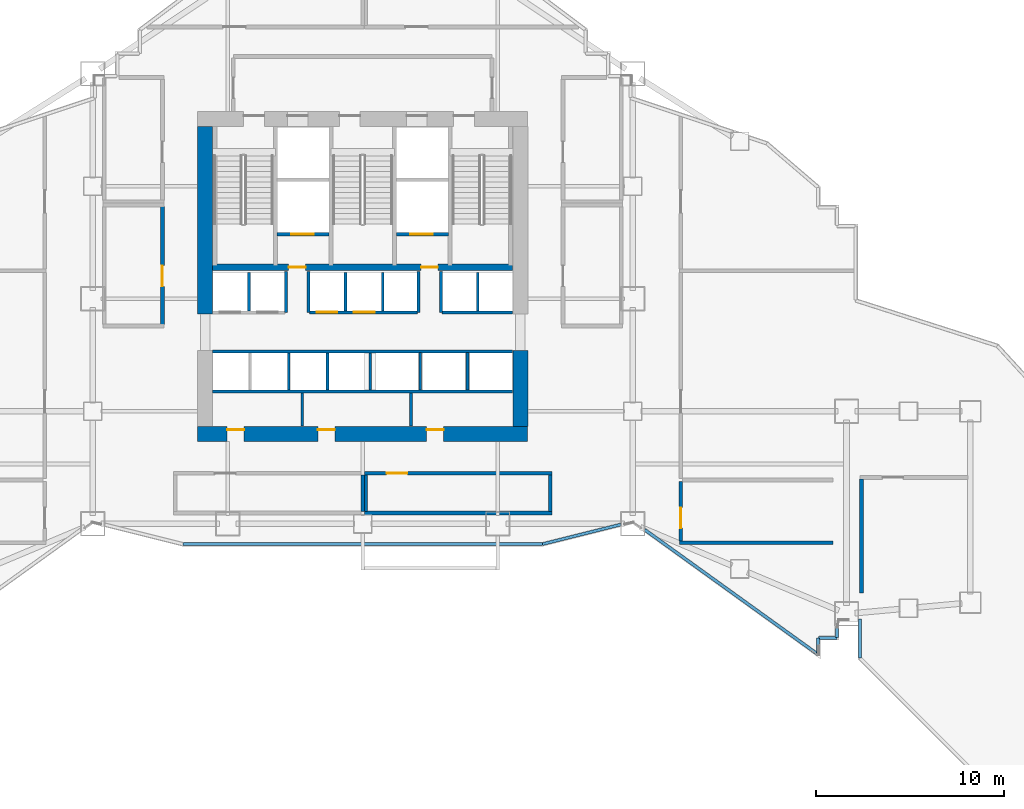
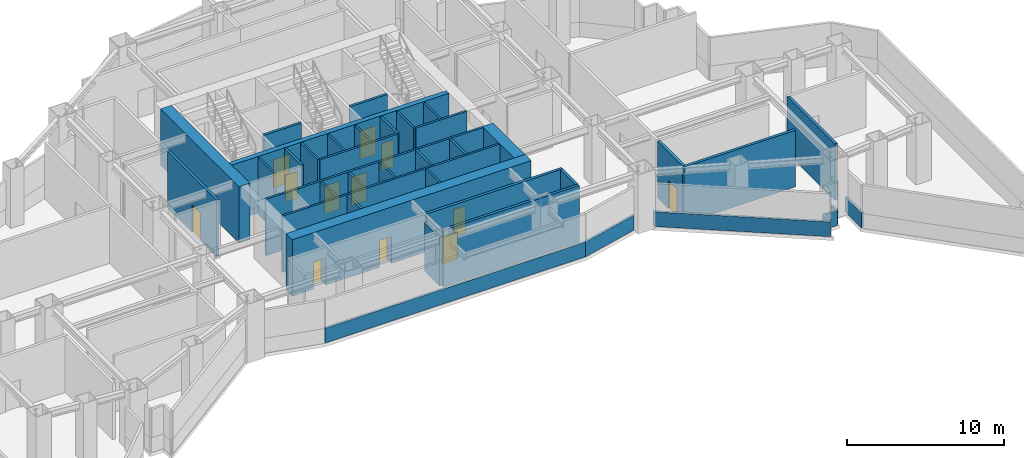
# One storey, part 3 of 12: 41 walls, 12 doors, 12 openings.
"""IFC4 building model written with IfcOpenShell, lengths in metres."""

import ifcopenshell
import ifcopenshell.guid

model = None  # the IFC model being written
_history = None  # IfcOwnerHistory: only IFC2X3 demands one
_inside = {}  # id of a spatial element -> (the spatial element, [elements in it])
_under = {}  # id of a project, library or spatial element -> (it, [spatial elements below it])
_declared = {}  # id of a project -> (the project, [libraries it declares])
_typed = {}  # id of a type object -> (the type object, [elements of that type])
_made_of = {}  # id of a material, layer set ... -> (it, [elements and type objects made of it])


def new_model(schema):
    """Start an empty IFC model of exactly this schema.

    Asked for "IFC4X3", IfcOpenShell would pick the latest addendum, in which some entities
    have other attributes; the version numbers below select the first issue.
    IFC2X3 requires an IfcOwnerHistory on every rooted entity: one is made here for all.
    """
    global model, _history
    if schema == "IFC4X3":
        model = ifcopenshell.file(schema_version=(4, 3, 0, 0))
    else:
        model = ifcopenshell.file(schema=schema)
    _inside.clear()
    _under.clear()
    _declared.clear()
    _typed.clear()
    _made_of.clear()
    _history = None
    if model.schema == "IFC2X3":
        org = make("IfcOrganization", Name="unknown")
        user = make(
            "IfcPersonAndOrganization",
            ThePerson=make("IfcPerson", FamilyName="unknown"),
            TheOrganization=org,
        )
        app = make(
            "IfcApplication",
            ApplicationDeveloper=org,
            Version="unknown",
            ApplicationFullName="unknown",
            ApplicationIdentifier="unknown",
        )
        _history = make(
            "IfcOwnerHistory",
            OwningUser=user,
            OwningApplication=app,
            ChangeAction="ADDED",
            CreationDate=0,
        )
    return model


def make(cls, **values):
    """One entity of the class cls with the attributes given. An attribute that is None is left unset."""
    return model.create_entity(
        cls, **{name: value for name, value in values.items() if value is not None}
    )


def rooted(cls, **values):
    """An entity with a GlobalId (a new one), such as an element, a storey or a relation."""
    return make(cls, GlobalId=ifcopenshell.guid.new(), OwnerHistory=_history, **values)


def si_unit(unit_type, name, prefix=None):
    """IfcSIUnit, for example si_unit("LENGTHUNIT", "METRE", prefix="MILLI")."""
    return make("IfcSIUnit", UnitType=unit_type, Prefix=prefix, Name=name)


def assignment(units):
    """IfcUnitAssignment: the units of a project."""
    return None if units is None else make("IfcUnitAssignment", Units=units)


def point(xyz):
    """IfcCartesianPoint."""
    return None if xyz is None else make("IfcCartesianPoint", Coordinates=xyz)


def direction(xyz):
    """IfcDirection."""
    return None if xyz is None else make("IfcDirection", DirectionRatios=xyz)


def frame(location, z_axis=None, x_axis=None):
    """IfcAxis2Placement3D, a coordinate frame: its origin and axes. An axis left out is left unset."""
    return make(
        "IfcAxis2Placement3D",
        Location=point(location),
        Axis=direction(z_axis),
        RefDirection=direction(x_axis),
    )


def frame_2d(location, x_axis=None):
    """IfcAxis2Placement2D, a coordinate frame in the plane: its origin and x axis."""
    return make(
        "IfcAxis2Placement2D", Location=point(location), RefDirection=direction(x_axis)
    )


def origin():
    """The frame at (0, 0, 0) with its axes left unset."""
    return frame((0.0, 0.0, 0.0))


def place(relative_to, where):
    """IfcLocalPlacement: puts the frame where relative to a parent placement (None: the world)."""
    return make(
        "IfcLocalPlacement", PlacementRelTo=relative_to, RelativePlacement=where
    )


def context(
    kind, dimensions, precision=None, world=None, true_north=None, identifier=None
):
    """IfcGeometricRepresentationContext, for example the 3D "Model" context."""
    return make(
        "IfcGeometricRepresentationContext",
        ContextIdentifier=identifier,
        ContextType=kind,
        CoordinateSpaceDimension=dimensions,
        Precision=precision,
        WorldCoordinateSystem=world,
        TrueNorth=true_north,
    )


def subcontext(parent, identifier, kind, view, scale=None):
    """IfcGeometricRepresentationSubContext, for example "Body" below "Model"."""
    return make(
        "IfcGeometricRepresentationSubContext",
        ContextIdentifier=identifier,
        ContextType=kind,
        ParentContext=parent,
        TargetScale=scale,
        TargetView=view,
    )


def project(units=None, contexts=None):
    """IfcProject with its units and contexts."""
    return rooted(
        "IfcProject",
        Name="project",
        RepresentationContexts=contexts,
        UnitsInContext=assignment(units),
    )


def spatial(cls, under=None, at=None, **own):
    """A site, building, storey or space (cls), placed at a placement, below another one or the project."""
    s = rooted(cls, ObjectPlacement=at, **own)
    if under is not None:
        _under.setdefault(under.id(), (under, []))[1].append(s)
    return s


def profile(cls, at=None, kind="AREA", **sizes):
    """A parametric profile (cls). Its sizes go by their IFC names, for example OverallWidth=200.0."""
    return make(cls, ProfileType=kind, Position=at, **sizes)


def rectangle(**sizes):
    """IfcRectangleProfileDef."""
    return profile("IfcRectangleProfileDef", **sizes)


def extrude(swept, where, along, depth):
    """IfcExtrudedAreaSolid: the profile swept, set in the frame where, extruded along a direction by depth."""
    return make(
        "IfcExtrudedAreaSolid",
        SweptArea=swept,
        Position=where,
        ExtrudedDirection=direction(along),
        Depth=depth,
    )


def shape(context_of_items, identifier, shape_type, items):
    """IfcShapeRepresentation: the items that make up one representation, for example the "Body"."""
    return make(
        "IfcShapeRepresentation",
        ContextOfItems=context_of_items,
        RepresentationIdentifier=identifier,
        RepresentationType=shape_type,
        Items=items,
    )


def material(Name=None, Category=None):
    """IfcMaterial."""
    return make("IfcMaterial", Name=Name, Category=Category)


def layer(
    of_material, thickness, ventilated=None, Name=None, Category=None, Priority=None
):
    """IfcMaterialLayer: one layer of a wall or slab, of a material (None: an air gap)."""
    return make(
        "IfcMaterialLayer",
        Material=of_material,
        LayerThickness=thickness,
        IsVentilated=ventilated,
        Name=Name,
        Category=Category,
        Priority=Priority,
    )


def layer_set(layers, Name=None):
    """IfcMaterialLayerSet."""
    return make("IfcMaterialLayerSet", MaterialLayers=layers, LayerSetName=Name)


def made_of(thing, what):
    """Note that an element or type object is made of a material, layer set ...; save() writes the relation."""
    if what is not None:
        _made_of.setdefault(what.id(), (what, []))[1].append(thing)
    return thing


def type_object(cls, material=None, **own):
    """A type object (cls), such as IfcWallType, which elements share."""
    return made_of(rooted(cls, **own), material)


def element(
    cls,
    number,
    at=None,
    inside=None,
    cuts=None,
    type_object=None,
    material=None,
    context=None,
    identifier="Body",
    shape_type=None,
    held_by="IfcProductDefinitionShape",
    body=None,
    shapes=None,
    **own,
):
    """One element of the class cls, such as IfcWall. Its Tag is "e" and its number.

    at: its placement. inside: the storey or other place that contains it. cuts: it is an
    opening in that element (IfcRelVoidsElement). A single representation is given by context,
    identifier, shape_type and body (its items); several are given by shapes. held_by: the class
    of the entity that holds the representations. save() writes the other relations.
    """
    e = rooted(cls, Tag="e%d" % number, ObjectPlacement=at, **own)
    if body is not None:
        shapes = [shape(context, identifier, shape_type, body)]
    if shapes is not None:
        e.Representation = make(held_by, Representations=shapes)
    if inside is not None:
        _inside.setdefault(inside.id(), (inside, []))[1].append(e)
    if cuts is not None:
        rooted(
            "IfcRelVoidsElement", RelatingBuildingElement=cuts, RelatedOpeningElement=e
        )
    if type_object is not None:
        _typed.setdefault(type_object.id(), (type_object, []))[1].append(e)
    return made_of(e, material)


def fill(opening, filler):
    """IfcRelFillsElement: the door or window that sits in an opening."""
    return rooted(
        "IfcRelFillsElement",
        RelatingOpeningElement=opening,
        RelatedBuildingElement=filler,
    )


def aggregate(whole, parts):
    """IfcRelAggregates: a whole, such as a stair, and the parts it consists of."""
    return rooted("IfcRelAggregates", RelatingObject=whole, RelatedObjects=parts)


def save(model, path):
    """Write the relations noted so far, then the file.

    IfcRelAggregates (storeys below a building ...), IfcRelContainedInSpatialStructure (elements
    in a storey), IfcRelDefinesByType, IfcRelAssociatesMaterial and IfcRelDeclares: one each for
    every whole, place, type object, material and project.
    """
    for whole, parts in _under.values():
        aggregate(whole, parts)
    for where, things in _inside.values():
        rooted(
            "IfcRelContainedInSpatialStructure",
            RelatedElements=things,
            RelatingStructure=where,
        )
    for kind, things in _typed.values():
        rooted("IfcRelDefinesByType", RelatedObjects=things, RelatingType=kind)
    for what, things in _made_of.values():
        rooted("IfcRelAssociatesMaterial", RelatedObjects=things, RelatingMaterial=what)
    for by, libraries in _declared.values():
        rooted("IfcRelDeclares", RelatingContext=by, RelatedDefinitions=libraries)
    model.write(path)


model = new_model("IFC4")

# Units and contexts
model_context = context("Model", 3, precision=1e-05, world=origin(), true_north=direction((0.0, 1.0)))
body_context = subcontext(model_context, "Body", "Model", "MODEL_VIEW")
ifc_project = project(units=[si_unit("LENGTHUNIT", "METRE"), si_unit("AREAUNIT", "SQUARE_METRE"), si_unit("VOLUMEUNIT", "CUBIC_METRE"), si_unit("PLANEANGLEUNIT", "RADIAN"), si_unit("MASSUNIT", "GRAM", prefix="KILO")], contexts=[model_context])

# Site, building, storey
site_placement = place(None, origin())
site = spatial("IfcSite", under=ifc_project, at=site_placement, CompositionType="ELEMENT")
building_placement = place(site_placement, origin())
building = spatial("IfcBuilding", under=site, at=building_placement, Name="Haolan Belvedere Tower", CompositionType="ELEMENT")
storey_placement = place(building_placement, frame((0.0, 0.0, 43.0)))
storey = spatial("IfcBuildingStorey", under=building, at=storey_placement, Name="L10", CompositionType="ELEMENT", Elevation=43.0)

# Wall, openings, doors
ifc_material_1 = material(Name="Concrete C70/85", Category="concrete")
ifc_layer_1 = layer(ifc_material_1, 0.800048828125, Name="Concrete C70/85")
ifc_layer_set_1 = layer_set([ifc_layer_1], Name="Concrete C70/85")
wall_type_1 = type_object("IfcWallType", Name="WL-CORE-800", PredefinedType="SHEAR", material=ifc_layer_set_1)
wall_1_placement = place(storey_placement, frame((29.60009765625, 26.39990234375, 0.0), z_axis=(0.0, 0.0, 1.0), x_axis=(1.0, 0.0, 0.0)))
wall_1 = element("IfcWall", 1, at=wall_1_placement, inside=storey, type_object=wall_type_1, Name="L10 central core south shear wall", PredefinedType="SHEAR", context=body_context, shape_type="SweptSolid", body=[
    extrude(rectangle(XDim=17.599853515625, YDim=0.800048828125, at=frame_2d((8.7998046875, 0.0))), origin(), (0.0, 0.0, 1.0), 4.39990234375),
])
opening_1_placement = place(wall_1_placement, frame((2.469970703125, 0.0, 0.0), z_axis=(0.0, 0.0, 1.0), x_axis=(-1.0, 0.0, 0.0)))
opening_1 = element("IfcOpeningElement", 2, at=opening_1_placement, cuts=wall_1, Name="Opening FD-05", PredefinedType="OPENING", context=body_context, shape_type="SweptSolid", body=[
    extrude(rectangle(XDim=0.89990234375, YDim=2.10009765625, at=frame_2d((0.449951171875, 1.050048828125))), frame((0.0, 0.409912109375, 0.0), z_axis=(0.0, -1.0, 0.0), x_axis=(1.0, 0.0, 0.0)), (0.0, 0.0, 1.0), 0.820068359375),
])
opening_2_placement = place(wall_1_placement, frame((7.309814453125, 0.0, 0.0), z_axis=(0.0, 0.0, 1.0), x_axis=(-1.0, 0.0, 0.0)))
opening_2 = element("IfcOpeningElement", 3, at=opening_2_placement, cuts=wall_1, Name="Opening FD-05", PredefinedType="OPENING", context=body_context, shape_type="SweptSolid", body=[
    extrude(rectangle(XDim=0.89990234375, YDim=2.10009765625, at=frame_2d((0.449951171875, 1.050048828125))), frame((0.0, 0.409912109375, 0.0), z_axis=(0.0, -1.0, 0.0), x_axis=(1.0, 0.0, 0.0)), (0.0, 0.0, 1.0), 0.820068359375),
])
opening_3_placement = place(wall_1_placement, frame((13.10986328125, 0.0, 0.0), z_axis=(0.0, 0.0, 1.0), x_axis=(-1.0, 0.0, 0.0)))
opening_3 = element("IfcOpeningElement", 4, at=opening_3_placement, cuts=wall_1, Name="Opening FD-05", PredefinedType="OPENING", context=body_context, shape_type="SweptSolid", body=[
    extrude(rectangle(XDim=0.89990234375, YDim=2.10009765625, at=frame_2d((0.449951171875, 1.050048828125))), frame((0.0, 0.409912109375, 0.0), z_axis=(0.0, -1.0, 0.0), x_axis=(1.0, 0.0, 0.0)), (0.0, 0.0, 1.0), 0.820068359375),
])
ifc_material_2 = material(Name="Galvanised fire-rated steel", Category="steel")
door_type_1 = type_object("IfcDoorType", Name="DR-FD60-900", OperationType="NOTDEFINED", PredefinedType="DOOR", material=ifc_material_2)
door_1_placement = place(opening_1_placement, origin())
door_1 = element("IfcDoor", 5, at=door_1_placement, inside=storey, type_object=door_type_1, Name="L10 door CD-L10-SCV-1", OperationType="SINGLE_SWING_LEFT", OverallHeight=2.10009765625, OverallWidth=0.89990234375, PredefinedType="DOOR", context=body_context, shape_type="SweptSolid", body=[
    extrude(rectangle(XDim=0.89990234375, YDim=2.10009765625, at=frame_2d((0.449951171875, 1.050048828125))), frame((0.0, -0.19482421875, 0.0), z_axis=(0.0, -1.0, 0.0), x_axis=(1.0, 0.0, 0.0)), (0.0, 0.0, 1.0), 0.050048828125),
])
fill(opening_1, door_1)
door_2_placement = place(opening_2_placement, origin())
door_2 = element("IfcDoor", 6, at=door_2_placement, inside=storey, type_object=door_type_1, Name="L10 door CD-L10-SCV-2", OperationType="SINGLE_SWING_RIGHT", OverallHeight=2.10009765625, OverallWidth=0.89990234375, PredefinedType="DOOR", context=body_context, shape_type="SweptSolid", body=[
    extrude(rectangle(XDim=0.89990234375, YDim=2.10009765625, at=frame_2d((0.449951171875, 1.050048828125))), frame((0.0, -0.19482421875, 0.0), z_axis=(0.0, -1.0, 0.0), x_axis=(1.0, 0.0, 0.0)), (0.0, 0.0, 1.0), 0.050048828125),
])
fill(opening_2, door_2)
door_3_placement = place(opening_3_placement, origin())
door_3 = element("IfcDoor", 7, at=door_3_placement, inside=storey, type_object=door_type_1, Name="L10 door CD-L10-SCV-3", OperationType="SINGLE_SWING_LEFT", OverallHeight=2.10009765625, OverallWidth=0.89990234375, PredefinedType="DOOR", context=body_context, shape_type="SweptSolid", body=[
    extrude(rectangle(XDim=0.89990234375, YDim=2.10009765625, at=frame_2d((0.449951171875, 1.050048828125))), frame((0.0, -0.19482421875, 0.0), z_axis=(0.0, -1.0, 0.0), x_axis=(1.0, 0.0, 0.0)), (0.0, 0.0, 1.0), 0.050048828125),
])
fill(opening_3, door_3)

# Walls
wall_2_placement = place(storey_placement, frame((30.0, 32.800048828125, 0.0), z_axis=(0.0, 0.0, 1.0), x_axis=(0.0, 1.0, 0.0)))
element("IfcWall", 8, at=wall_2_placement, inside=storey, type_object=wall_type_1, Name="L10 central core shear wall WN", PredefinedType="SHEAR", context=body_context, shape_type="SweptSolid", body=[
    extrude(rectangle(XDim=10.0, YDim=0.800048828125, at=frame_2d((5.0, 0.0))), origin(), (0.0, 0.0, 1.0), 4.39990234375),
])
wall_3_placement = place(storey_placement, frame((46.800048828125, 26.800048828125, 0.0), z_axis=(0.0, 0.0, 1.0), x_axis=(0.0, 1.0, 0.0)))
element("IfcWall", 9, at=wall_3_placement, inside=storey, type_object=wall_type_1, Name="L10 central core shear wall ES", PredefinedType="SHEAR", context=body_context, shape_type="SweptSolid", body=[
    extrude(rectangle(XDim=4.050048828125, YDim=0.800048828125, at=frame_2d((2.02490234375, 0.0))), origin(), (0.0, 0.0, 1.0), 4.39990234375),
])

# Wall, opening, door
ifc_material_3 = material(Name="Concrete C40/50", Category="concrete")
ifc_layer_2 = layer(ifc_material_3, 0.199951171875, Name="Concrete C40/50")
ifc_layer_set_2 = layer_set([ifc_layer_2], Name="Concrete C40/50")
wall_type_2 = type_object("IfcWallType", Name="WL-FIRE-200", PredefinedType="SOLIDWALL", material=ifc_layer_set_2)
wall_4_placement = place(storey_placement, frame((27.719970703125, 32.235107421875, 0.0), z_axis=(0.0, 0.0, 1.0), x_axis=(0.0, 1.0, 0.0)))
wall_4 = element("IfcWall", 10, at=wall_4_placement, inside=storey, type_object=wall_type_2, Name="L10 interior partition IW-L10-REF-WI1-E", PredefinedType="SOLIDWALL", context=body_context, shape_type="SweptSolid", body=[
    extrude(rectangle(XDim=6.27978515625, YDim=0.199951171875, at=frame_2d((3.139892578125, 0.0))), origin(), (0.0, 0.0, 1.0), 4.39990234375),
])
opening_4_placement = place(wall_4_placement, frame((3.135009765625, 0.0, 0.0), z_axis=(0.0, 0.0, 1.0), x_axis=(-1.0, 0.0, 0.0)))
opening_4 = element("IfcOpeningElement", 11, at=opening_4_placement, cuts=wall_4, Name="Opening FD-03", PredefinedType="OPENING", context=body_context, shape_type="SweptSolid", body=[
    extrude(rectangle(XDim=1.10009765625, YDim=2.14990234375, at=frame_2d((0.550048828125, 1.074951171875))), frame((0.0, 0.10986328125, 0.0), z_axis=(0.0, -1.0, 0.0), x_axis=(1.0, 0.0, 0.0)), (0.0, 0.0, 1.0), 0.219970703125),
])
door_type_2 = type_object("IfcDoorType", Name="DR-FD90-1100", OperationType="NOTDEFINED", PredefinedType="DOOR", material=ifc_material_2)
door_4_placement = place(opening_4_placement, origin())
door_4 = element("IfcDoor", 12, at=door_4_placement, inside=storey, type_object=door_type_2, Name="L10 door ID-L10-REF-WI1", OperationType="SINGLE_SWING_LEFT", OverallHeight=2.14990234375, OverallWidth=1.10009765625, PredefinedType="DOOR", context=body_context, shape_type="SweptSolid", body=[
    extrude(rectangle(XDim=1.10009765625, YDim=2.14990234375, at=frame_2d((0.550048828125, 1.074951171875))), frame((0.0, 0.02490234375, 0.0), z_axis=(0.0, -1.0, 0.0), x_axis=(1.0, 0.0, 0.0)), (0.0, 0.0, 1.0), 0.050048828125),
])
fill(opening_4, door_4)

# Wall
wall_5_placement = place(storey_placement, frame((38.39990234375, 22.264892578125, 0.0), z_axis=(0.0, 0.0, 1.0), x_axis=(0.0, 1.0, 0.0)))
element("IfcWall", 13, at=wall_5_placement, inside=storey, type_object=wall_type_2, Name="L10 interior partition IW-L10-PLT-AHU-E", PredefinedType="SOLIDWALL", context=body_context, shape_type="SweptSolid", body=[
    extrude(rectangle(XDim=1.9501953125, YDim=0.199951171875, at=frame_2d((0.97509765625, 0.0))), origin(), (0.0, 0.0, 1.0), 3.784912109375),
])

# Wall, opening, door
wall_6_placement = place(storey_placement, frame((38.485107421875, 24.300048828125, 0.0), z_axis=(0.0, 0.0, 1.0), x_axis=(1.0, 0.0, 0.0)))
wall_6 = element("IfcWall", 14, at=wall_6_placement, inside=storey, type_object=wall_type_2, Name="L10 interior partition IW-L10-PLT-CHW-N", PredefinedType="SOLIDWALL", context=body_context, shape_type="SweptSolid", body=[
    extrude(rectangle(XDim=9.994873046875, YDim=0.199951171875, at=frame_2d((4.99755859375, 0.0))), origin(), (0.0, 0.0, 1.0), 4.39990234375),
])
opening_5_placement = place(wall_6_placement, frame((2.295166015625, 0.0, 0.0), z_axis=(0.0, 0.0, 1.0), x_axis=(-1.0, 0.0, 0.0)))
opening_5 = element("IfcOpeningElement", 15, at=opening_5_placement, cuts=wall_6, Name="Opening FD-03", PredefinedType="OPENING", context=body_context, shape_type="SweptSolid", body=[
    extrude(rectangle(XDim=1.10009765625, YDim=2.14990234375, at=frame_2d((0.550048828125, 1.074951171875))), frame((0.0, 0.10986328125, 0.0), z_axis=(0.0, -1.0, 0.0), x_axis=(1.0, 0.0, 0.0)), (0.0, 0.0, 1.0), 0.219970703125),
])
door_5_placement = place(opening_5_placement, origin())
door_5 = element("IfcDoor", 16, at=door_5_placement, inside=storey, type_object=door_type_2, Name="L10 door ID-L10-PLT-CHW", OperationType="SINGLE_SWING_RIGHT", OverallHeight=2.14990234375, OverallWidth=1.10009765625, PredefinedType="DOOR", context=body_context, shape_type="SweptSolid", body=[
    extrude(rectangle(XDim=1.10009765625, YDim=2.14990234375, at=frame_2d((0.550048828125, 1.074951171875))), frame((0.0, 0.02490234375, 0.0), z_axis=(0.0, -1.0, 0.0), x_axis=(1.0, 0.0, 0.0)), (0.0, 0.0, 1.0), 0.050048828125),
])
fill(opening_5, door_5)

# Walls
wall_7_placement = place(storey_placement, frame((38.485107421875, 22.179931640625, 0.0), z_axis=(0.0, 0.0, 1.0), x_axis=(1.0, 0.0, 0.0)))
element("IfcWall", 17, at=wall_7_placement, inside=storey, type_object=wall_type_2, Name="L10 interior partition IW-L10-PLT-CHW-S", PredefinedType="SOLIDWALL", context=body_context, shape_type="SweptSolid", body=[
    extrude(rectangle(XDim=9.994873046875, YDim=0.199951171875, at=frame_2d((4.99755859375, 0.0))), origin(), (0.0, 0.0, 1.0), 4.39990234375),
])
wall_8_placement = place(storey_placement, frame((38.56005859375, 22.264892578125, 0.0), z_axis=(0.0, 0.0, 1.0), x_axis=(0.0, 1.0, 0.0)))
element("IfcWall", 18, at=wall_8_placement, inside=storey, type_object=wall_type_2, Name="L10 interior partition IW-L10-PLT-CHW-W", PredefinedType="SOLIDWALL", context=body_context, shape_type="SweptSolid", body=[
    extrude(rectangle(XDim=1.9501953125, YDim=0.199951171875, at=frame_2d((0.97509765625, 0.0))), origin(), (0.0, 0.0, 1.0), 3.784912109375),
])
wall_9_placement = place(storey_placement, frame((48.39990234375, 22.264892578125, 0.0), z_axis=(0.0, 0.0, 1.0), x_axis=(0.0, 1.0, 0.0)))
element("IfcWall", 19, at=wall_9_placement, inside=storey, type_object=wall_type_2, Name="L10 interior partition IW-L10-PLT-CHW-E", PredefinedType="SOLIDWALL", context=body_context, shape_type="SweptSolid", body=[
    extrude(rectangle(XDim=1.9501953125, YDim=0.199951171875, at=frame_2d((0.97509765625, 0.0))), origin(), (0.0, 0.0, 1.0), 4.39990234375),
])
wall_10_placement = place(storey_placement, frame((55.280029296875, 20.60009765625, 0.0), z_axis=(0.0, 0.0, 1.0), x_axis=(1.0, 0.0, 0.0)))
element("IfcWall", 20, at=wall_10_placement, inside=storey, type_object=wall_type_2, Name="L10 interior partition IW-L10-PLT-TNK-S", PredefinedType="SOLIDWALL", context=body_context, shape_type="SweptSolid", body=[
    extrude(rectangle(XDim=8.199951171875, YDim=0.199951171875, at=frame_2d((4.10009765625, 0.0))), origin(), (0.0, 0.0, 1.0), 4.39990234375),
])

# Wall, opening, door
wall_11_placement = place(storey_placement, frame((55.360107421875, 20.68505859375, 0.0), z_axis=(0.0, 0.0, 1.0), x_axis=(0.0, 1.0, 0.0)))
wall_11 = element("IfcWall", 21, at=wall_11_placement, inside=storey, type_object=wall_type_2, Name="L10 interior partition IW-L10-PLT-TNK-W", PredefinedType="SOLIDWALL", context=body_context, shape_type="SweptSolid", body=[
    extrude(rectangle(XDim=3.169921875, YDim=0.199951171875, at=frame_2d((1.5849609375, 0.0))), origin(), (0.0, 0.0, 1.0), 4.39990234375),
])
opening_6_placement = place(wall_11_placement, frame((0.68505859375, 0.0, 0.0)))
opening_6 = element("IfcOpeningElement", 22, at=opening_6_placement, cuts=wall_11, Name="Opening FD-03", PredefinedType="OPENING", context=body_context, shape_type="SweptSolid", body=[
    extrude(rectangle(XDim=1.10009765625, YDim=2.14990234375, at=frame_2d((0.550048828125, 1.074951171875))), frame((0.0, 0.10986328125, 0.0), z_axis=(0.0, -1.0, 0.0), x_axis=(1.0, 0.0, 0.0)), (0.0, 0.0, 1.0), 0.219970703125),
])
door_6_placement = place(opening_6_placement, origin())
door_6 = element("IfcDoor", 23, at=door_6_placement, inside=storey, type_object=door_type_2, Name="L10 door ID-L10-PLT-TNK", OperationType="SINGLE_SWING_LEFT", OverallHeight=2.14990234375, OverallWidth=1.10009765625, PredefinedType="DOOR", context=body_context, shape_type="SweptSolid", body=[
    extrude(rectangle(XDim=1.10009765625, YDim=2.14990234375, at=frame_2d((0.550048828125, 1.074951171875))), frame((0.0, 0.02490234375, 0.0), z_axis=(0.0, -1.0, 0.0), x_axis=(1.0, 0.0, 0.0)), (0.0, 0.0, 1.0), 0.050048828125),
])
fill(opening_6, door_6)

# Walls
wall_12_placement = place(storey_placement, frame((65.0, 17.919921875, 0.0), z_axis=(0.0, 0.0, 1.0), x_axis=(0.0, 1.0, 0.0)))
element("IfcWall", 24, at=wall_12_placement, inside=storey, type_object=wall_type_2, Name="L10 interior partition IW-L10-REF-ET5-W", PredefinedType="SOLIDWALL", context=body_context, shape_type="SweptSolid", body=[
    extrude(rectangle(XDim=6.0751953125, YDim=0.199951171875, at=frame_2d((3.03759765625, 0.0))), origin(), (0.0, 0.0, 1.0), 4.39990234375),
])
ifc_material_4 = material(Name="Precast concrete C40/50", Category="concrete")
ifc_layer_3 = layer(ifc_material_4, 0.159912109375, Name="Precast concrete C40/50")
ifc_layer_set_3 = layer_set([ifc_layer_3], Name="Precast concrete C40/50")
wall_type_3 = type_object("IfcWallType", Name="WL-PAR-160", PredefinedType="PARAPET", material=ifc_layer_set_3)
wall_13_placement = place(storey_placement, frame((28.814697265625, 20.52001953125, 0.0), z_axis=(0.0, 0.0, 1.0), x_axis=(1.0, 0.0, 0.0)))
element("IfcWall", 25, at=wall_13_placement, inside=storey, type_object=wall_type_3, Name="L10 refuge open-band parapet 13.1", PredefinedType="PARAPET", context=body_context, shape_type="SweptSolid", body=[
    extrude(rectangle(XDim=19.17041015625, YDim=0.159912109375, at=frame_2d((9.585205078125, 0.0))), origin(), (0.0, 0.0, 1.0), 1.14990234375),
])
wall_14_placement = place(storey_placement, frame((47.985107421875, 20.52001953125, 0.0), z_axis=(0.0, 0.0, 1.0), x_axis=(0.970142500145, 0.242535625036, 0.0)))
element("IfcWall", 26, at=wall_14_placement, inside=storey, type_object=wall_type_3, Name="L10 refuge open-band parapet 14.1", PredefinedType="PARAPET", context=body_context, shape_type="SweptSolid", body=[
    extrude(rectangle(XDim=4.30126953125, YDim=0.159912109375, at=frame_2d((2.150634765625, 0.0))), origin(), (0.0, 0.0, 1.0), 1.14990234375),
])
wall_15_placement = place(storey_placement, frame((53.44189453125, 21.28564453125, 0.0), z_axis=(0.0, 0.0, 1.0), x_axis=(0.811535155038, -0.584303595863, 0.0)))
element("IfcWall", 27, at=wall_15_placement, inside=storey, type_object=wall_type_3, Name="L10 refuge open-band parapet 15.1", PredefinedType="PARAPET", context=body_context, shape_type="SweptSolid", body=[
    extrude(rectangle(XDim=11.38330078125, YDim=0.159912109375, at=frame_2d((5.691650390625, 0.0))), origin(), (0.0, 0.0, 1.0), 1.14990234375),
])
wall_16_placement = place(storey_placement, frame((62.679931640625, 14.724365234375, 0.0), z_axis=(0.0, 0.0, 1.0), x_axis=(0.0, 1.0, 0.0)))
element("IfcWall", 28, at=wall_16_placement, inside=storey, type_object=wall_type_3, Name="L10 refuge open-band parapet 16.1", PredefinedType="PARAPET", context=body_context, shape_type="SweptSolid", body=[
    extrude(rectangle(XDim=0.795654296875, YDim=0.159912109375, at=frame_2d((0.39794921875, 0.0))), origin(), (0.0, 0.0, 1.0), 1.14990234375),
])
wall_17_placement = place(storey_placement, frame((62.7099609375, 15.52001953125, 0.0), z_axis=(0.0, 0.0, 1.0), x_axis=(1.0, 0.0, 0.0)))
element("IfcWall", 29, at=wall_17_placement, inside=storey, type_object=wall_type_3, Name="L10 refuge open-band parapet 17.1", PredefinedType="PARAPET", context=body_context, shape_type="SweptSolid", body=[
    extrude(rectangle(XDim=0.969970703125, YDim=0.159912109375, at=frame_2d((0.48486328125, 0.0))), origin(), (0.0, 0.0, 1.0), 1.14990234375),
])
wall_18_placement = place(storey_placement, frame((63.679931640625, 15.550048828125, 0.0), z_axis=(0.0, 0.0, 1.0), x_axis=(0.0, 1.0, 0.0)))
element("IfcWall", 30, at=wall_18_placement, inside=storey, type_object=wall_type_3, Name="L10 refuge open-band parapet 18.1", PredefinedType="PARAPET", context=body_context, shape_type="SweptSolid", body=[
    extrude(rectangle(XDim=0.60791015625, YDim=0.159912109375, at=frame_2d((0.303955078125, 0.0))), origin(), (0.0, 0.0, 1.0), 1.14990234375),
])
wall_19_placement = place(storey_placement, frame((64.919921875, 16.52001953125, 0.0), z_axis=(0.0, 0.0, 1.0), x_axis=(0.0, -1.0, 0.0)))
element("IfcWall", 31, at=wall_19_placement, inside=storey, type_object=wall_type_3, Name="L10 refuge open-band parapet 20.1", PredefinedType="PARAPET", context=body_context, shape_type="SweptSolid", body=[
    extrude(rectangle(XDim=2.0703125, YDim=0.159912109375, at=frame_2d((1.03515625, 0.0))), origin(), (0.0, 0.0, 1.0), 1.14990234375),
])
ifc_material_5 = material(Name="Double gypsum acoustic stud partition", Category="masonry")
ifc_layer_4 = layer(ifc_material_5, 0.14990234375, Name="Double gypsum acoustic stud partition")
ifc_layer_set_4 = layer_set([ifc_layer_4], Name="Double gypsum acoustic stud partition")
wall_type_4 = type_object("IfcWallType", Name="WL-PART-150", PredefinedType="PARTITIONING", material=ifc_layer_set_4)
wall_20_placement = place(storey_placement, frame((30.39990234375, 28.659912109375, 0.0), z_axis=(0.0, 0.0, 1.0), x_axis=(1.0, 0.0, 0.0)))
element("IfcWall", 32, at=wall_20_placement, inside=storey, type_object=wall_type_4, Name="L10 interior partition IW-L10-SSTRIP-N", PredefinedType="PARTITIONING", context=body_context, shape_type="SweptSolid", body=[
    extrude(rectangle(XDim=16.0, YDim=0.14990234375, at=frame_2d((8.0, 0.0))), origin(), (0.0, 0.0, 1.0), 4.39990234375),
])
for number, where, z_axis, x_axis, name in (
    (33, (35.179931640625, 26.81005859375, 0.0), (0.0, 0.0, 1.0), (0.0, 1.0, 0.0), "L10 interior partition IW-L10-SCV-DIV-1"),
    (34, (40.97998046875, 26.81005859375, 0.0), (0.0, 0.0, 1.0), (0.0, 1.0, 0.0), "L10 interior partition IW-L10-SCV-DIV-2"),
):
    element("IfcWall", number, at=place(storey_placement, frame(where, z_axis=z_axis, x_axis=x_axis)), inside=storey, type_object=wall_type_4, Name=name, PredefinedType="PARTITIONING", context=body_context, shape_type="SweptSolid", body=[
        extrude(rectangle(XDim=1.77001953125, YDim=0.14990234375, at=frame_2d((0.885009765625, 0.0))), origin(), (0.0, 0.0, 1.0), 4.39990234375),
    ])
ifc_material_6 = material(Name="Gypsum fire shaftwall assembly", Category="masonry")
ifc_layer_5 = layer(ifc_material_6, 0.1650390625, Name="Gypsum fire shaftwall assembly")
ifc_layer_set_5 = layer_set([ifc_layer_5], Name="Gypsum fire shaftwall assembly")
wall_type_5 = type_object("IfcWallType", Name="WL-SHAFT-160", PredefinedType="SOLIDWALL", material=ifc_layer_set_5)
for number, where, z_axis, x_axis, name in (
    (35, (34.31005859375, 32.8798828125, 0.0), (0.0, 0.0, 1.0), (0.0, 1.0, 0.0), "L10 interior partition IW-L10-SVP-W-SV1"),
    (36, (35.510009765625, 32.8798828125, 0.0), (0.0, 0.0, 1.0), (0.0, 1.0, 0.0), "L10 interior partition IW-L10-SVP-E-SV1"),
    (37, (41.3701171875, 32.8798828125, 0.0), (0.0, 0.0, 1.0), (0.0, 1.0, 0.0), "L10 interior partition IW-L10-SVP-W-SV2"),
    (38, (42.570068359375, 32.8798828125, 0.0), (0.0, 0.0, 1.0), (0.0, 1.0, 0.0), "L10 interior partition IW-L10-SVP-E-SV2"),
):
    element("IfcWall", number, at=place(storey_placement, frame(where, z_axis=z_axis, x_axis=x_axis)), inside=storey, type_object=wall_type_5, Name=name, PredefinedType="SOLIDWALL", context=body_context, shape_type="SweptSolid", body=[
        extrude(rectangle(XDim=2.170166015625, YDim=0.14990234375, at=frame_2d((1.0849609375, 0.0))), origin(), (0.0, 0.0, 1.0), 4.39990234375),
    ])

# Wall, openings, doors
wall_21_placement = place(storey_placement, frame((35.570068359375, 32.8798828125, 0.0), z_axis=(0.0, 0.0, 1.0), x_axis=(1.0, 0.0, 0.0)))
wall_21 = element("IfcWall", 39, at=wall_21_placement, inside=storey, type_object=wall_type_5, Name="L10 interior partition IW-L10-ROW-PN2", PredefinedType="SOLIDWALL", context=body_context, shape_type="SweptSolid", body=[
    extrude(rectangle(XDim=5.739990234375, YDim=0.159912109375, at=frame_2d((2.8701171875, 0.0))), origin(), (0.0, 0.0, 1.0), 4.39990234375),
])
opening_7_placement = place(wall_21_placement, frame((1.47021484375, 0.0, 0.0), z_axis=(0.0, 0.0, 1.0), x_axis=(-1.0, 0.0, 0.0)))
opening_7 = element("IfcOpeningElement", 40, at=opening_7_placement, cuts=wall_21, Name="Opening LD-01", PredefinedType="OPENING", context=body_context, shape_type="SweptSolid", body=[
    extrude(rectangle(XDim=1.10009765625, YDim=2.199951171875, at=frame_2d((0.550048828125, 1.10009765625))), frame((0.0, 0.08984375, 0.0), z_axis=(0.0, -1.0, 0.0), x_axis=(1.0, 0.0, 0.0)), (0.0, 0.0, 1.0), 0.179931640625),
])
opening_8_placement = place(wall_21_placement, frame((3.460205078125, 0.0, 0.0), z_axis=(0.0, 0.0, 1.0), x_axis=(-1.0, 0.0, 0.0)))
opening_8 = element("IfcOpeningElement", 41, at=opening_8_placement, cuts=wall_21, Name="Opening LD-01", PredefinedType="OPENING", context=body_context, shape_type="SweptSolid", body=[
    extrude(rectangle(XDim=1.10009765625, YDim=2.199951171875, at=frame_2d((0.550048828125, 1.10009765625))), frame((0.0, 0.08984375, 0.0), z_axis=(0.0, -1.0, 0.0), x_axis=(1.0, 0.0, 0.0)), (0.0, 0.0, 1.0), 0.179931640625),
])
ifc_material_7 = material(Name="Brushed champagne stainless steel 316L", Category="steel")
door_type_3 = type_object("IfcDoorType", Name="DR-LIFT-1100", OperationType="SLIDING_TO_LEFT", PredefinedType="DOOR", material=ifc_material_7)
door_7_placement = place(opening_7_placement, origin())
door_7 = element("IfcDoor", 42, at=door_7_placement, inside=storey, type_object=door_type_3, Name="L10 door ID-L10-LD-PL3", OperationType="SLIDING_TO_LEFT", OverallHeight=2.199951171875, OverallWidth=1.10009765625, PredefinedType="DOOR", context=body_context, shape_type="SweptSolid", body=[
    extrude(rectangle(XDim=1.10009765625, YDim=2.199951171875, at=frame_2d((0.550048828125, 1.10009765625))), frame((0.0, 0.02490234375, 0.0), z_axis=(0.0, -1.0, 0.0), x_axis=(1.0, 0.0, 0.0)), (0.0, 0.0, 1.0), 0.050048828125),
])
fill(opening_7, door_7)
door_8_placement = place(opening_8_placement, origin())
door_8 = element("IfcDoor", 43, at=door_8_placement, inside=storey, type_object=door_type_3, Name="L10 door ID-L10-LD-PL4", OperationType="SLIDING_TO_LEFT", OverallHeight=2.199951171875, OverallWidth=1.10009765625, PredefinedType="DOOR", context=body_context, shape_type="SweptSolid", body=[
    extrude(rectangle(XDim=1.10009765625, YDim=2.199951171875, at=frame_2d((0.550048828125, 1.10009765625))), frame((0.0, 0.02490234375, 0.0), z_axis=(0.0, -1.0, 0.0), x_axis=(1.0, 0.0, 0.0)), (0.0, 0.0, 1.0), 0.050048828125),
])
fill(opening_8, door_8)

# Walls
wall_22_placement = place(storey_placement, frame((42.6298828125, 32.8798828125, 0.0), z_axis=(0.0, 0.0, 1.0), x_axis=(1.0, 0.0, 0.0)))
element("IfcWall", 44, at=wall_22_placement, inside=storey, type_object=wall_type_5, Name="L10 interior partition IW-L10-ROW-PN3", PredefinedType="SOLIDWALL", context=body_context, shape_type="SweptSolid", body=[
    extrude(rectangle(XDim=3.77001953125, YDim=0.159912109375, at=frame_2d((1.885009765625, 0.0))), origin(), (0.0, 0.0, 1.0), 4.39990234375),
])
for number, where, z_axis, x_axis, name in (
    (45, (32.340087890625, 32.949951171875, 0.0), (0.0, 0.0, 1.0), (0.0, 1.0, 0.0), "L10 interior partition IW-L10-DIV-PL1"),
    (46, (37.47998046875, 32.949951171875, 0.0), (0.0, 0.0, 1.0), (0.0, 1.0, 0.0), "L10 interior partition IW-L10-DIV-PL3"),
    (47, (39.469970703125, 32.949951171875, 0.0), (0.0, 0.0, 1.0), (0.0, 1.0, 0.0), "L10 interior partition IW-L10-DIV-PL4"),
    (48, (44.530029296875, 32.949951171875, 0.0), (0.0, 0.0, 1.0), (0.0, 1.0, 0.0), "L10 interior partition IW-L10-DIV-PH2"),
):
    element("IfcWall", number, at=place(storey_placement, frame(where, z_axis=z_axis, x_axis=x_axis)), inside=storey, type_object=wall_type_5, Name=name, PredefinedType="SOLIDWALL", context=body_context, shape_type="SweptSolid", body=[
        extrude(rectangle(XDim=2.050048828125, YDim=0.14990234375, at=frame_2d((1.02490234375, 0.0))), origin(), (0.0, 0.0, 1.0), 4.39990234375),
    ])
wall_23_placement = place(storey_placement, frame((30.39990234375, 30.800048828125, 0.0), z_axis=(0.0, 0.0, 1.0), x_axis=(1.0, 0.0, 0.0)))
element("IfcWall", 49, at=wall_23_placement, inside=storey, type_object=wall_type_5, Name="L10 interior partition IW-L10-ROW-PS", PredefinedType="SOLIDWALL", context=body_context, shape_type="SweptSolid", body=[
    extrude(rectangle(XDim=16.0, YDim=0.159912109375, at=frame_2d((8.0, 0.0))), origin(), (0.0, 0.0, 1.0), 4.39990234375),
])
for number, where, z_axis, x_axis, name in (
    (50, (34.4599609375, 28.735107421875, 0.0), (0.0, 0.0, 1.0), (0.0, 1.0, 0.0), "L10 interior partition IW-L10-DIV-PM2"),
    (51, (36.52001953125, 28.735107421875, 0.0), (0.0, 0.0, 1.0), (0.0, 1.0, 0.0), "L10 interior partition IW-L10-DIV-PM3"),
    (52, (38.800048828125, 28.735107421875, 0.0), (0.0, 0.0, 1.0), (0.0, 1.0, 0.0), "L10 interior partition IW-L10-DIV-PM4"),
):
    element("IfcWall", number, at=place(storey_placement, frame(where, z_axis=z_axis, x_axis=x_axis)), inside=storey, type_object=wall_type_5, Name=name, PredefinedType="SOLIDWALL", context=body_context, shape_type="SweptSolid", body=[
        extrude(rectangle(XDim=1.98486328125, YDim=0.14990234375, at=frame_2d((0.992431640625, 0.0))), origin(), (0.0, 0.0, 1.0), 4.39990234375),
    ])
for number, where, z_axis, x_axis, name in (
    (53, (41.469970703125, 28.75, 0.0), (0.0, 0.0, 1.0), (0.0, 1.0, 0.0), "L10 interior partition IW-L10-DIV-OB1"),
    (54, (43.97998046875, 28.75, 0.0), (0.0, 0.0, 1.0), (0.0, 1.0, 0.0), "L10 interior partition IW-L10-DIV-OB2"),
):
    element("IfcWall", number, at=place(storey_placement, frame(where, z_axis=z_axis, x_axis=x_axis)), inside=storey, type_object=wall_type_5, Name=name, PredefinedType="SOLIDWALL", context=body_context, shape_type="SweptSolid", body=[
        extrude(rectangle(XDim=1.985107421875, YDim=0.14990234375, at=frame_2d((0.99267578125, 0.0))), origin(), (0.0, 0.0, 1.0), 4.39990234375),
    ])

# Wall, opening, door
ifc_layer_6 = layer(ifc_material_4, 0.179931640625, Name="Precast concrete C40/50")
ifc_layer_set_6 = layer_set([ifc_layer_6], Name="Precast concrete C40/50")
wall_type_6 = type_object("IfcWallType", Name="WL-SHAFT-180", PredefinedType="SOLIDWALL", material=ifc_layer_set_6)
wall_24_placement = place(storey_placement, frame((33.8349609375, 37.050048828125, 0.0), z_axis=(0.0, 0.0, 1.0), x_axis=(1.0, 0.0, 0.0)))
wall_24 = element("IfcWall", 55, at=wall_24_placement, inside=storey, type_object=wall_type_6, Name="L10 interior partition IW-L10-SV1-S", PredefinedType="SOLIDWALL", context=body_context, shape_type="SweptSolid", body=[
    extrude(rectangle(XDim=2.77001953125, YDim=0.179931640625, at=frame_2d((1.385009765625, 0.0))), origin(), (0.0, 0.0, 1.0), 4.39990234375),
])
opening_9_placement = place(wall_24_placement, frame((1.945068359375, 0.0, 0.0), z_axis=(0.0, 0.0, 1.0), x_axis=(-1.0, 0.0, 0.0)))
opening_9 = element("IfcOpeningElement", 56, at=opening_9_placement, cuts=wall_24, Name="Opening LD-02", PredefinedType="OPENING", context=body_context, shape_type="SweptSolid", body=[
    extrude(rectangle(XDim=1.199951171875, YDim=2.199951171875, at=frame_2d((0.60009765625, 1.10009765625))), frame((0.0, 0.099853515625, 0.0), z_axis=(0.0, -1.0, 0.0), x_axis=(1.0, 0.0, 0.0)), (0.0, 0.0, 1.0), 0.199951171875),
])
door_type_4 = type_object("IfcDoorType", Name="DR-LIFT-1200", OperationType="SLIDING_TO_RIGHT", PredefinedType="DOOR", material=ifc_material_7)
door_9_placement = place(opening_9_placement, origin())
door_9 = element("IfcDoor", 57, at=door_9_placement, inside=storey, type_object=door_type_4, Name="L10 door ID-L10-LD-SV1", OperationType="SLIDING_TO_RIGHT", OverallHeight=2.199951171875, OverallWidth=1.199951171875, PredefinedType="DOOR", context=body_context, shape_type="SweptSolid", body=[
    extrude(rectangle(XDim=1.199951171875, YDim=2.199951171875, at=frame_2d((0.60009765625, 1.10009765625))), frame((0.0, 0.02490234375, 0.0), z_axis=(0.0, -1.0, 0.0), x_axis=(1.0, 0.0, 0.0)), (0.0, 0.0, 1.0), 0.050048828125),
])
fill(opening_9, door_9)

wall_25_placement = place(storey_placement, frame((40.195068359375, 37.050048828125, 0.0), z_axis=(0.0, 0.0, 1.0), x_axis=(1.0, 0.0, 0.0)))
wall_25 = element("IfcWall", 58, at=wall_25_placement, inside=storey, type_object=wall_type_6, Name="L10 interior partition IW-L10-SV2-S", PredefinedType="SOLIDWALL", context=body_context, shape_type="SweptSolid", body=[
    extrude(rectangle(XDim=2.77001953125, YDim=0.179931640625, at=frame_2d((1.385009765625, 0.0))), origin(), (0.0, 0.0, 1.0), 4.39990234375),
])
opening_10_placement = place(wall_25_placement, frame((1.945068359375, 0.0, 0.0), z_axis=(0.0, 0.0, 1.0), x_axis=(-1.0, 0.0, 0.0)))
opening_10 = element("IfcOpeningElement", 59, at=opening_10_placement, cuts=wall_25, Name="Opening LD-02", PredefinedType="OPENING", context=body_context, shape_type="SweptSolid", body=[
    extrude(rectangle(XDim=1.199951171875, YDim=2.199951171875, at=frame_2d((0.60009765625, 1.10009765625))), frame((0.0, 0.099853515625, 0.0), z_axis=(0.0, -1.0, 0.0), x_axis=(1.0, 0.0, 0.0)), (0.0, 0.0, 1.0), 0.199951171875),
])
door_10_placement = place(opening_10_placement, origin())
door_10 = element("IfcDoor", 60, at=door_10_placement, inside=storey, type_object=door_type_4, Name="L10 door ID-L10-LD-SV2", OperationType="SLIDING_TO_RIGHT", OverallHeight=2.199951171875, OverallWidth=1.199951171875, PredefinedType="DOOR", context=body_context, shape_type="SweptSolid", body=[
    extrude(rectangle(XDim=1.199951171875, YDim=2.199951171875, at=frame_2d((0.60009765625, 1.10009765625))), frame((0.0, 0.02490234375, 0.0), z_axis=(0.0, -1.0, 0.0), x_axis=(1.0, 0.0, 0.0)), (0.0, 0.0, 1.0), 0.050048828125),
])
fill(opening_10, door_10)

# Wall, openings, doors
ifc_material_8 = material(Name="Concrete C60/75", Category="concrete")
ifc_layer_7 = layer(ifc_material_8, 0.360107421875, Name="Concrete C60/75")
ifc_layer_set_7 = layer_set([ifc_layer_7], Name="Concrete C60/75")
wall_type_7 = type_object("IfcWallType", Name="WL-WEB-350", PredefinedType="SHEAR", material=ifc_layer_set_7)
wall_26_placement = place(storey_placement, frame((30.39990234375, 35.2900390625, 0.0), z_axis=(0.0, 0.0, 1.0), x_axis=(1.0, 0.0, 0.0)))
wall_26 = element("IfcWall", 61, at=wall_26_placement, inside=storey, type_object=wall_type_7, Name="L10 central core internal shear web", PredefinedType="SHEAR", context=body_context, shape_type="SweptSolid", body=[
    extrude(rectangle(XDim=16.0, YDim=0.360107421875, at=frame_2d((8.0, 0.0))), origin(), (0.0, 0.0, 1.0), 4.39990234375),
])
opening_11_placement = place(wall_26_placement, frame((4.949951171875, 0.0, 0.0), z_axis=(0.0, 0.0, 1.0), x_axis=(-1.0, 0.0, 0.0)))
opening_11 = element("IfcOpeningElement", 62, at=opening_11_placement, cuts=wall_26, Name="Opening FD-05", PredefinedType="OPENING", context=body_context, shape_type="SweptSolid", body=[
    extrude(rectangle(XDim=0.89990234375, YDim=2.10009765625, at=frame_2d((0.449951171875, 1.050048828125))), frame((0.0, 0.18994140625, 0.0), z_axis=(0.0, -1.0, 0.0), x_axis=(1.0, 0.0, 0.0)), (0.0, 0.0, 1.0), 0.380126953125),
])
opening_12_placement = place(wall_26_placement, frame((12.010009765625, 0.0, 0.0), z_axis=(0.0, 0.0, 1.0), x_axis=(-1.0, 0.0, 0.0)))
opening_12 = element("IfcOpeningElement", 63, at=opening_12_placement, cuts=wall_26, Name="Opening FD-05", PredefinedType="OPENING", context=body_context, shape_type="SweptSolid", body=[
    extrude(rectangle(XDim=0.89990234375, YDim=2.10009765625, at=frame_2d((0.449951171875, 1.050048828125))), frame((0.0, 0.18994140625, 0.0), z_axis=(0.0, -1.0, 0.0), x_axis=(1.0, 0.0, 0.0)), (0.0, 0.0, 1.0), 0.380126953125),
])
door_11_placement = place(opening_11_placement, origin())
door_11 = element("IfcDoor", 64, at=door_11_placement, inside=storey, type_object=door_type_1, Name="L10 door CD-L10-SVL-SV1", OperationType="SINGLE_SWING_RIGHT", OverallHeight=2.10009765625, OverallWidth=0.89990234375, PredefinedType="DOOR", context=body_context, shape_type="SweptSolid", body=[
    extrude(rectangle(XDim=0.89990234375, YDim=2.10009765625, at=frame_2d((0.449951171875, 1.050048828125))), frame((0.0, 0.02490234375, 0.0), z_axis=(0.0, -1.0, 0.0), x_axis=(1.0, 0.0, 0.0)), (0.0, 0.0, 1.0), 0.050048828125),
])
fill(opening_11, door_11)
door_12_placement = place(opening_12_placement, origin())
door_12 = element("IfcDoor", 65, at=door_12_placement, inside=storey, type_object=door_type_1, Name="L10 door CD-L10-SVL-SV2", OperationType="SINGLE_SWING_RIGHT", OverallHeight=2.10009765625, OverallWidth=0.89990234375, PredefinedType="DOOR", context=body_context, shape_type="SweptSolid", body=[
    extrude(rectangle(XDim=0.89990234375, YDim=2.10009765625, at=frame_2d((0.449951171875, 1.050048828125))), frame((0.0, 0.02490234375, 0.0), z_axis=(0.0, -1.0, 0.0), x_axis=(1.0, 0.0, 0.0)), (0.0, 0.0, 1.0), 0.050048828125),
])
fill(opening_12, door_12)

save(model, "model.ifc")
